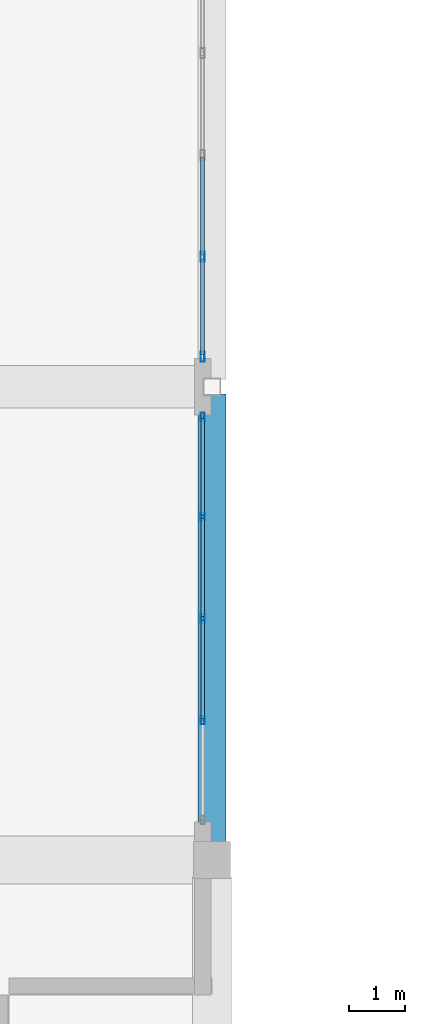
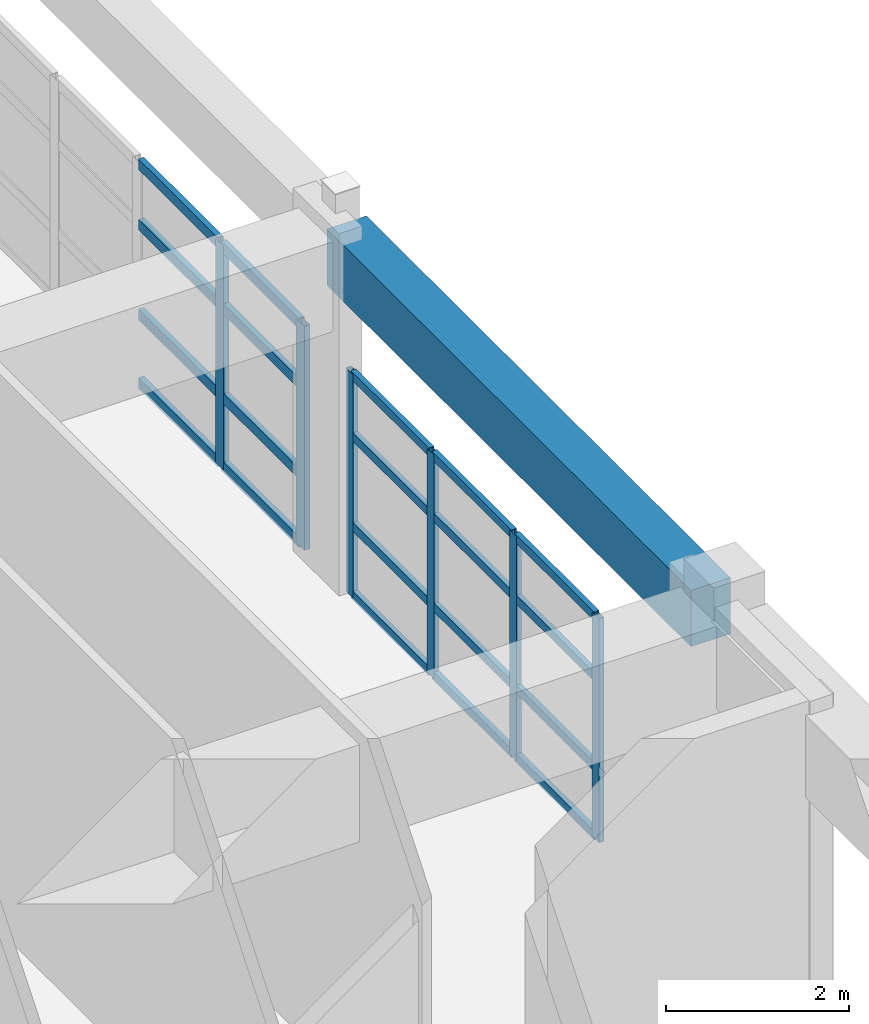
# One storey, part 15 of 78: 26 members, 1 beam, 2 elements without a shape of their own.
"""IFC4 building model written with IfcOpenShell, lengths in metres."""

from ifc_helpers import new_model, si_unit, direction, frame, origin, origin_2d, place, context, subcontext, project, spatial, rectangle, hollow_rectangle, extrude, material, layer, layer_set, material_profile, profile_set, type_object, element, aggregate, save


model = new_model("IFC4")

# Units and contexts
model_context = context("Model", 3, precision=1e-05, world=origin(), true_north=direction((0.0, 1.0)))
body_context = subcontext(model_context, "Body", "Model", "MODEL_VIEW")
ifc_project = project(units=[si_unit("LENGTHUNIT", "METRE"), si_unit("AREAUNIT", "SQUARE_METRE"), si_unit("VOLUMEUNIT", "CUBIC_METRE"), si_unit("PLANEANGLEUNIT", "RADIAN"), si_unit("MASSUNIT", "GRAM", prefix="KILO")], contexts=[model_context])

# Site, building, storey
site_placement = place(None, origin())
site = spatial("IfcSite", under=ifc_project, at=site_placement, CompositionType="ELEMENT")
building_placement = place(site_placement, origin())
building = spatial("IfcBuilding", under=site, at=building_placement, Name="Quendrovan Civic Courthouse", CompositionType="ELEMENT")
storey_placement = place(building_placement, frame((0.0, 0.0, 20.39990234375)))
storey = spatial("IfcBuildingStorey", under=building, at=storey_placement, Name="L05", CompositionType="ELEMENT", Elevation=20.39990234375)

# Beam
ifc_material_1 = material(Name="Concrete C40/50", Category="concrete")
ifc_material_profile_1 = material_profile(ifc_material_1, rectangle(XDim=0.5, YDim=0.75, at=origin_2d()), Name="RC-BM-500x750")
ifc_profile_set_1 = profile_set([ifc_material_profile_1], Name="Concrete C40/50")
beam_type = type_object("IfcBeamType", Name="BM-RC750", PredefinedType="SPANDREL", material=ifc_profile_set_1)
beam_placement = place(storey_placement, frame((16.800048828125, 31.5048828125, 4.28515625), z_axis=(0.0, 1.0, 0.0), x_axis=(-1.0, 0.0, 0.0)))
element("IfcBeam", 1, at=beam_placement, inside=storey, type_object=beam_type, Name="L05 Girder Y1066", PredefinedType="SPANDREL", context=body_context, shape_type="SweptSolid", body=[
    extrude(rectangle(XDim=0.5, YDim=0.75, at=origin_2d()), origin(), (0.0, 0.0, 1.0), 7.965087890625),
])

# Curtain wall, members
ifc_material_2 = material(Name="Bronze anodised aluminium and low-E glass", Category="aluminium")
ifc_layer = layer(ifc_material_2, 0.179931640625, Name="Bronze anodised aluminium and low-E glass")
ifc_layer_set = layer_set([ifc_layer], Name="Bronze anodised aluminium and low-E glass")
curtain_wall_type = type_object("IfcCurtainWallType", Name="CW-U72x30", PredefinedType="USERDEFINED", material=ifc_layer_set)
curtain_wall_1_placement = place(storey_placement, origin())
curtain_wall_1 = element("IfcCurtainWall", 2, at=curtain_wall_1_placement, inside=storey, type_object=curtain_wall_type, Name="L05 Unitised Hurricane Curtain Wall CW-186", ObjectType="UNITISED CURTAIN WALL", PredefinedType="USERDEFINED")
ifc_material_3 = material(Name="Bronze anodised aluminium", Category="aluminium")
ifc_material_profile_2 = material_profile(ifc_material_3, hollow_rectangle(XDim=0.070068359375, YDim=0.179931640625, WallThickness=0.00390625, at=origin_2d()), Name="CW-MULL-70x180")
ifc_profile_set_2 = profile_set([ifc_material_profile_2], Name="Bronze anodised aluminium")
member_type_1 = type_object("IfcMemberType", Name="CW-MULL-A", PredefinedType="MULLION", material=ifc_profile_set_2)
member_1_placement = place(storey_placement, frame((16.635009765625, 41.90625, 0.0), z_axis=(0.0, 0.0, 1.0), x_axis=(1.0, 0.0, 0.0)))
member_1 = element("IfcMember", 3, at=member_1_placement, type_object=member_type_1, Name="CW-186 mullion 4", PredefinedType="MULLION", context=body_context, shape_type="SweptSolid", body=[
    extrude(hollow_rectangle(XDim=0.070068359375, YDim=0.179931640625, WallThickness=0.00390625, at=origin_2d()), origin(), (0.0, 0.0, 1.0), 2.989990234375),
])
member_2_placement = place(storey_placement, frame((16.635009765625, 40.135009765625, 0.0), z_axis=(0.0, 0.0, 1.0), x_axis=(1.0, 0.0, 0.0)))
member_2 = element("IfcMember", 4, at=member_2_placement, type_object=member_type_1, Name="CW-186 mullion 5", PredefinedType="MULLION", context=body_context, shape_type="SweptSolid", body=[
    extrude(hollow_rectangle(XDim=0.070068359375, YDim=0.179931640625, WallThickness=0.00390625, at=origin_2d()), origin(), (0.0, 0.0, 1.0), 2.989990234375),
])

curtain_wall_2_placement = place(storey_placement, origin())
curtain_wall_2 = element("IfcCurtainWall", 5, at=curtain_wall_2_placement, inside=storey, type_object=curtain_wall_type, Name="L05 Unitised Hurricane Curtain Wall CW-187", ObjectType="UNITISED CURTAIN WALL", PredefinedType="USERDEFINED")
ifc_material_profile_3 = material_profile(ifc_material_3, hollow_rectangle(XDim=0.06494140625, YDim=0.14990234375, WallThickness=0.00390625, at=origin_2d()), Name="CW-MULL-65x150")
ifc_profile_set_3 = profile_set([ifc_material_profile_3], Name="Bronze anodised aluminium")
member_type_2 = type_object("IfcMemberType", Name="CW-MULL-B", PredefinedType="MULLION", material=ifc_profile_set_3)
member_3_placement = place(storey_placement, frame((16.635009765625, 39.0673828125, 0.0), z_axis=(0.0, 0.0, 1.0), x_axis=(1.0, 0.0, 0.0)))
member_3 = element("IfcMember", 6, at=member_3_placement, type_object=member_type_2, Name="CW-187 mullion 1", PredefinedType="MULLION", context=body_context, shape_type="SweptSolid", body=[
    extrude(hollow_rectangle(XDim=0.06494140625, YDim=0.14990234375, WallThickness=0.00390625, at=origin_2d()), origin(), (0.0, 0.0, 1.0), 2.989990234375),
])
member_4_placement = place(storey_placement, frame((16.635009765625, 37.293701171875, 0.0), z_axis=(0.0, 0.0, 1.0), x_axis=(1.0, 0.0, 0.0)))
member_4 = element("IfcMember", 7, at=member_4_placement, type_object=member_type_2, Name="CW-187 mullion 2", PredefinedType="MULLION", context=body_context, shape_type="SweptSolid", body=[
    extrude(hollow_rectangle(XDim=0.06494140625, YDim=0.14990234375, WallThickness=0.00390625, at=origin_2d()), origin(), (0.0, 0.0, 1.0), 2.989990234375),
])
member_5_placement = place(storey_placement, frame((16.635009765625, 35.487548828125, 0.0), z_axis=(0.0, 0.0, 1.0), x_axis=(1.0, 0.0, 0.0)))
member_5 = element("IfcMember", 8, at=member_5_placement, type_object=member_type_2, Name="CW-187 mullion 3", PredefinedType="MULLION", context=body_context, shape_type="SweptSolid", body=[
    extrude(hollow_rectangle(XDim=0.06494140625, YDim=0.14990234375, WallThickness=0.00390625, at=origin_2d()), origin(), (0.0, 0.0, 1.0), 2.989990234375),
])
member_6_placement = place(storey_placement, frame((16.635009765625, 33.68115234375, 0.0), z_axis=(0.0, 0.0, 1.0), x_axis=(1.0, 0.0, 0.0)))
member_6 = element("IfcMember", 9, at=member_6_placement, type_object=member_type_2, Name="CW-187 mullion 4", PredefinedType="MULLION", context=body_context, shape_type="SweptSolid", body=[
    extrude(hollow_rectangle(XDim=0.06494140625, YDim=0.14990234375, WallThickness=0.00390625, at=origin_2d()), origin(), (0.0, 0.0, 1.0), 2.989990234375),
])

# Member
ifc_material_profile_4 = material_profile(ifc_material_3, hollow_rectangle(XDim=0.070068359375, YDim=0.139892578125, WallThickness=0.00390625, at=origin_2d()), Name="CW-TRAN-70x140")
ifc_profile_set_4 = profile_set([ifc_material_profile_4], Name="Bronze anodised aluminium")
member_type_3 = type_object("IfcMemberType", Name="CW-TRAN-A", PredefinedType="USERDEFINED", material=ifc_profile_set_4)
member_7_placement = place(storey_placement, frame((16.635009765625, 43.677490234375, 0.03515625), z_axis=(0.0, -1.0, 0.0), x_axis=(1.0, 0.0, 0.0)))
member_7 = element("IfcMember", 10, at=member_7_placement, type_object=member_type_3, Name="CW-186 transom 3.1", ObjectType="TRANSOM", PredefinedType="USERDEFINED", context=body_context, shape_type="SweptSolid", body=[
    extrude(hollow_rectangle(XDim=0.070068359375, YDim=0.139892578125, WallThickness=0.00390625, at=origin_2d()), origin(), (0.0, 0.0, 1.0), 1.736328125),
])

member_8_placement = place(storey_placement, frame((16.635009765625, 43.677490234375, 0.9501953125), z_axis=(0.0, -1.0, 0.0), x_axis=(1.0, 0.0, 0.0)))
member_8 = element("IfcMember", 11, at=member_8_placement, type_object=member_type_3, Name="CW-186 transom 3.2", ObjectType="TRANSOM", PredefinedType="USERDEFINED", context=body_context, shape_type="SweptSolid", body=[
    extrude(hollow_rectangle(XDim=0.070068359375, YDim=0.139892578125, WallThickness=0.00390625, at=origin_2d()), origin(), (0.0, 0.0, 1.0), 1.736328125),
])

member_9_placement = place(storey_placement, frame((16.635009765625, 43.677490234375, 2.150146484375), z_axis=(0.0, -1.0, 0.0), x_axis=(1.0, 0.0, 0.0)))
member_9 = element("IfcMember", 12, at=member_9_placement, type_object=member_type_3, Name="CW-186 transom 3.3", ObjectType="TRANSOM", PredefinedType="USERDEFINED", context=body_context, shape_type="SweptSolid", body=[
    extrude(hollow_rectangle(XDim=0.070068359375, YDim=0.139892578125, WallThickness=0.00390625, at=origin_2d()), origin(), (0.0, 0.0, 1.0), 1.736328125),
])

member_10_placement = place(storey_placement, frame((16.635009765625, 43.677490234375, 2.955078125), z_axis=(0.0, -1.0, 0.0), x_axis=(1.0, 0.0, 0.0)))
member_10 = element("IfcMember", 13, at=member_10_placement, type_object=member_type_3, Name="CW-186 transom 3.4", ObjectType="TRANSOM", PredefinedType="USERDEFINED", context=body_context, shape_type="SweptSolid", body=[
    extrude(hollow_rectangle(XDim=0.070068359375, YDim=0.139892578125, WallThickness=0.00390625, at=origin_2d()), origin(), (0.0, 0.0, 1.0), 1.736328125),
])

member_11_placement = place(storey_placement, frame((16.635009765625, 41.871337890625, 0.03515625), z_axis=(0.0, -1.0, 0.0), x_axis=(1.0, 0.0, 0.0)))
member_11 = element("IfcMember", 14, at=member_11_placement, type_object=member_type_3, Name="CW-186 transom 4.1", ObjectType="TRANSOM", PredefinedType="USERDEFINED", context=body_context, shape_type="SweptSolid", body=[
    extrude(hollow_rectangle(XDim=0.070068359375, YDim=0.139892578125, WallThickness=0.00390625, at=origin_2d()), origin(), (0.0, 0.0, 1.0), 1.701416015625),
])

member_12_placement = place(storey_placement, frame((16.635009765625, 41.871337890625, 0.9501953125), z_axis=(0.0, -1.0, 0.0), x_axis=(1.0, 0.0, 0.0)))
member_12 = element("IfcMember", 15, at=member_12_placement, type_object=member_type_3, Name="CW-186 transom 4.2", ObjectType="TRANSOM", PredefinedType="USERDEFINED", context=body_context, shape_type="SweptSolid", body=[
    extrude(hollow_rectangle(XDim=0.070068359375, YDim=0.139892578125, WallThickness=0.00390625, at=origin_2d()), origin(), (0.0, 0.0, 1.0), 1.701416015625),
])

member_13_placement = place(storey_placement, frame((16.635009765625, 41.871337890625, 2.150146484375), z_axis=(0.0, -1.0, 0.0), x_axis=(1.0, 0.0, 0.0)))
member_13 = element("IfcMember", 16, at=member_13_placement, type_object=member_type_3, Name="CW-186 transom 4.3", ObjectType="TRANSOM", PredefinedType="USERDEFINED", context=body_context, shape_type="SweptSolid", body=[
    extrude(hollow_rectangle(XDim=0.070068359375, YDim=0.139892578125, WallThickness=0.00390625, at=origin_2d()), origin(), (0.0, 0.0, 1.0), 1.701416015625),
])

member_14_placement = place(storey_placement, frame((16.635009765625, 41.871337890625, 2.955078125), z_axis=(0.0, -1.0, 0.0), x_axis=(1.0, 0.0, 0.0)))
member_14 = element("IfcMember", 17, at=member_14_placement, type_object=member_type_3, Name="CW-186 transom 4.4", ObjectType="TRANSOM", PredefinedType="USERDEFINED", context=body_context, shape_type="SweptSolid", body=[
    extrude(hollow_rectangle(XDim=0.070068359375, YDim=0.139892578125, WallThickness=0.00390625, at=origin_2d()), origin(), (0.0, 0.0, 1.0), 1.701416015625),
])

aggregate(curtain_wall_1, [member_1, member_2, member_7, member_8, member_9, member_10, member_11, member_12, member_13, member_14])

ifc_material_profile_5 = material_profile(ifc_material_3, hollow_rectangle(XDim=0.06494140625, YDim=0.114990234375, WallThickness=0.00390625, at=origin_2d()), Name="CW-TRAN-65x115")
ifc_profile_set_5 = profile_set([ifc_material_profile_5], Name="Bronze anodised aluminium")
member_type_4 = type_object("IfcMemberType", Name="CW-TRAN-B", PredefinedType="USERDEFINED", material=ifc_profile_set_5)
member_15_placement = place(storey_placement, frame((16.635009765625, 39.034912109375, 0.03271484375), z_axis=(0.0, -1.0, 0.0), x_axis=(1.0, 0.0, 0.0)))
member_15 = element("IfcMember", 18, at=member_15_placement, type_object=member_type_4, Name="CW-187 transom 1.1", ObjectType="TRANSOM", PredefinedType="USERDEFINED", context=body_context, shape_type="SweptSolid", body=[
    extrude(hollow_rectangle(XDim=0.06494140625, YDim=0.114990234375, WallThickness=0.00390625, at=origin_2d()), origin(), (0.0, 0.0, 1.0), 1.708740234375),
])

member_16_placement = place(storey_placement, frame((16.635009765625, 39.034912109375, 0.9501953125), z_axis=(0.0, -1.0, 0.0), x_axis=(1.0, 0.0, 0.0)))
member_16 = element("IfcMember", 19, at=member_16_placement, type_object=member_type_4, Name="CW-187 transom 1.2", ObjectType="TRANSOM", PredefinedType="USERDEFINED", context=body_context, shape_type="SweptSolid", body=[
    extrude(hollow_rectangle(XDim=0.06494140625, YDim=0.114990234375, WallThickness=0.00390625, at=origin_2d()), origin(), (0.0, 0.0, 1.0), 1.708740234375),
])

member_17_placement = place(storey_placement, frame((16.635009765625, 39.034912109375, 2.150146484375), z_axis=(0.0, -1.0, 0.0), x_axis=(1.0, 0.0, 0.0)))
member_17 = element("IfcMember", 20, at=member_17_placement, type_object=member_type_4, Name="CW-187 transom 1.3", ObjectType="TRANSOM", PredefinedType="USERDEFINED", context=body_context, shape_type="SweptSolid", body=[
    extrude(hollow_rectangle(XDim=0.06494140625, YDim=0.114990234375, WallThickness=0.00390625, at=origin_2d()), origin(), (0.0, 0.0, 1.0), 1.708740234375),
])

member_18_placement = place(storey_placement, frame((16.635009765625, 39.034912109375, 2.95751953125), z_axis=(0.0, -1.0, 0.0), x_axis=(1.0, 0.0, 0.0)))
member_18 = element("IfcMember", 21, at=member_18_placement, type_object=member_type_4, Name="CW-187 transom 1.4", ObjectType="TRANSOM", PredefinedType="USERDEFINED", context=body_context, shape_type="SweptSolid", body=[
    extrude(hollow_rectangle(XDim=0.06494140625, YDim=0.114990234375, WallThickness=0.00390625, at=origin_2d()), origin(), (0.0, 0.0, 1.0), 1.708740234375),
])

member_19_placement = place(storey_placement, frame((16.635009765625, 37.26123046875, 0.03271484375), z_axis=(0.0, -1.0, 0.0), x_axis=(1.0, 0.0, 0.0)))
member_19 = element("IfcMember", 22, at=member_19_placement, type_object=member_type_4, Name="CW-187 transom 2.1", ObjectType="TRANSOM", PredefinedType="USERDEFINED", context=body_context, shape_type="SweptSolid", body=[
    extrude(hollow_rectangle(XDim=0.06494140625, YDim=0.114990234375, WallThickness=0.00390625, at=origin_2d()), origin(), (0.0, 0.0, 1.0), 1.7412109375),
])

member_20_placement = place(storey_placement, frame((16.635009765625, 37.26123046875, 0.9501953125), z_axis=(0.0, -1.0, 0.0), x_axis=(1.0, 0.0, 0.0)))
member_20 = element("IfcMember", 23, at=member_20_placement, type_object=member_type_4, Name="CW-187 transom 2.2", ObjectType="TRANSOM", PredefinedType="USERDEFINED", context=body_context, shape_type="SweptSolid", body=[
    extrude(hollow_rectangle(XDim=0.06494140625, YDim=0.114990234375, WallThickness=0.00390625, at=origin_2d()), origin(), (0.0, 0.0, 1.0), 1.7412109375),
])

member_21_placement = place(storey_placement, frame((16.635009765625, 37.26123046875, 2.150146484375), z_axis=(0.0, -1.0, 0.0), x_axis=(1.0, 0.0, 0.0)))
member_21 = element("IfcMember", 24, at=member_21_placement, type_object=member_type_4, Name="CW-187 transom 2.3", ObjectType="TRANSOM", PredefinedType="USERDEFINED", context=body_context, shape_type="SweptSolid", body=[
    extrude(hollow_rectangle(XDim=0.06494140625, YDim=0.114990234375, WallThickness=0.00390625, at=origin_2d()), origin(), (0.0, 0.0, 1.0), 1.7412109375),
])

member_22_placement = place(storey_placement, frame((16.635009765625, 37.26123046875, 2.95751953125), z_axis=(0.0, -1.0, 0.0), x_axis=(1.0, 0.0, 0.0)))
member_22 = element("IfcMember", 25, at=member_22_placement, type_object=member_type_4, Name="CW-187 transom 2.4", ObjectType="TRANSOM", PredefinedType="USERDEFINED", context=body_context, shape_type="SweptSolid", body=[
    extrude(hollow_rectangle(XDim=0.06494140625, YDim=0.114990234375, WallThickness=0.00390625, at=origin_2d()), origin(), (0.0, 0.0, 1.0), 1.7412109375),
])

member_23_placement = place(storey_placement, frame((16.635009765625, 35.455078125, 0.03271484375), z_axis=(0.0, -1.0, 0.0), x_axis=(1.0, 0.0, 0.0)))
member_23 = element("IfcMember", 26, at=member_23_placement, type_object=member_type_4, Name="CW-187 transom 3.1", ObjectType="TRANSOM", PredefinedType="USERDEFINED", context=body_context, shape_type="SweptSolid", body=[
    extrude(hollow_rectangle(XDim=0.06494140625, YDim=0.114990234375, WallThickness=0.00390625, at=origin_2d()), origin(), (0.0, 0.0, 1.0), 1.7412109375),
])

member_24_placement = place(storey_placement, frame((16.635009765625, 35.455078125, 0.9501953125), z_axis=(0.0, -1.0, 0.0), x_axis=(1.0, 0.0, 0.0)))
member_24 = element("IfcMember", 27, at=member_24_placement, type_object=member_type_4, Name="CW-187 transom 3.2", ObjectType="TRANSOM", PredefinedType="USERDEFINED", context=body_context, shape_type="SweptSolid", body=[
    extrude(hollow_rectangle(XDim=0.06494140625, YDim=0.114990234375, WallThickness=0.00390625, at=origin_2d()), origin(), (0.0, 0.0, 1.0), 1.7412109375),
])

member_25_placement = place(storey_placement, frame((16.635009765625, 35.455078125, 2.150146484375), z_axis=(0.0, -1.0, 0.0), x_axis=(1.0, 0.0, 0.0)))
member_25 = element("IfcMember", 28, at=member_25_placement, type_object=member_type_4, Name="CW-187 transom 3.3", ObjectType="TRANSOM", PredefinedType="USERDEFINED", context=body_context, shape_type="SweptSolid", body=[
    extrude(hollow_rectangle(XDim=0.06494140625, YDim=0.114990234375, WallThickness=0.00390625, at=origin_2d()), origin(), (0.0, 0.0, 1.0), 1.7412109375),
])

member_26_placement = place(storey_placement, frame((16.635009765625, 35.455078125, 2.95751953125), z_axis=(0.0, -1.0, 0.0), x_axis=(1.0, 0.0, 0.0)))
member_26 = element("IfcMember", 29, at=member_26_placement, type_object=member_type_4, Name="CW-187 transom 3.4", ObjectType="TRANSOM", PredefinedType="USERDEFINED", context=body_context, shape_type="SweptSolid", body=[
    extrude(hollow_rectangle(XDim=0.06494140625, YDim=0.114990234375, WallThickness=0.00390625, at=origin_2d()), origin(), (0.0, 0.0, 1.0), 1.7412109375),
])

aggregate(curtain_wall_2, [member_3, member_4, member_5, member_6, member_15, member_16, member_17, member_18, member_19, member_20, member_21, member_22, member_23, member_24, member_25, member_26])

save(model, "model.ifc")
